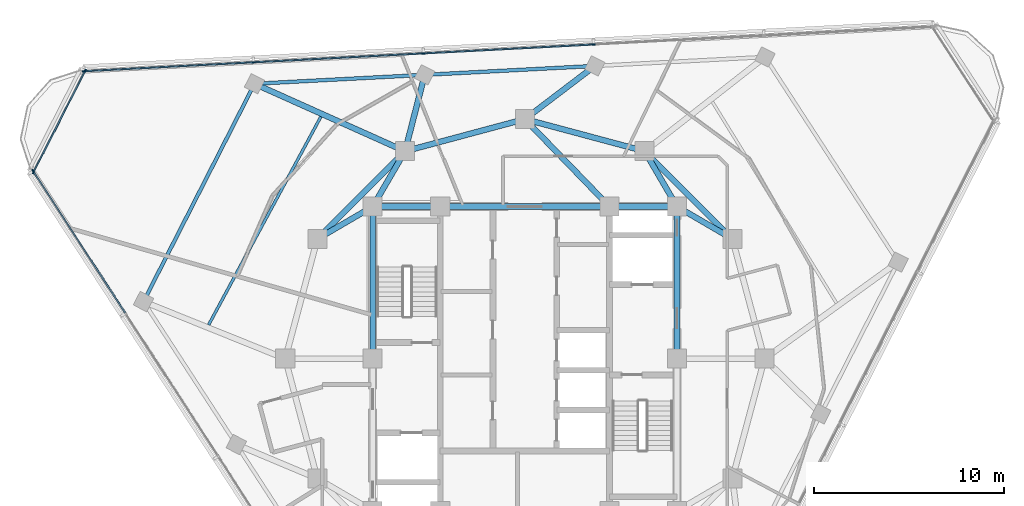
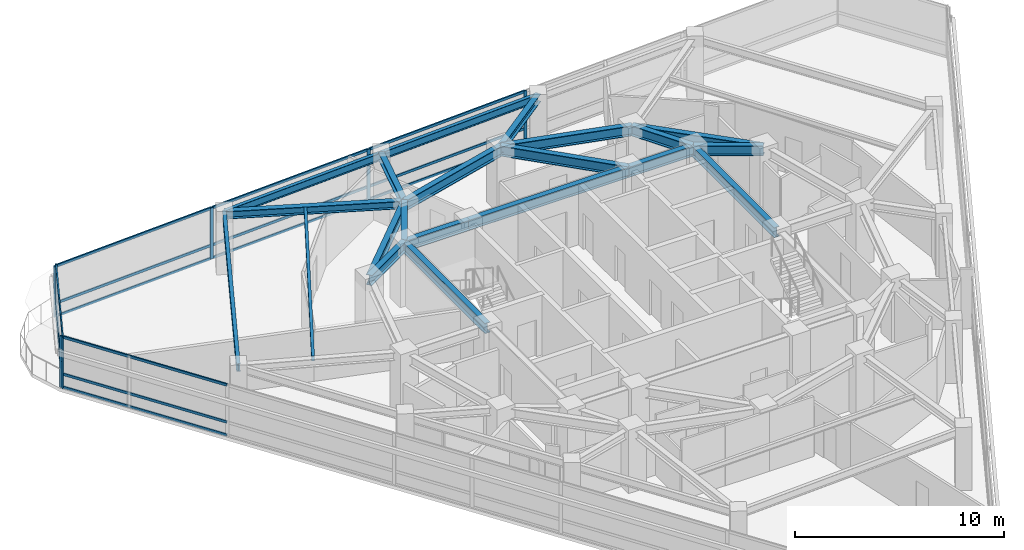
# One storey, part 5 of 15: 22 members, 21 beams, 3 elements without a shape of their own.
"""IFC4 building model written with IfcOpenShell, lengths in metres."""

from ifc_helpers import new_model, si_unit, direction, frame, origin, origin_2d, place, context, subcontext, project, spatial, rectangle, i_section, extrude, material, layer, layer_set, material_profile, profile_set, type_object, element, aggregate, save


model = new_model("IFC4")

# Units and contexts
model_context = context("Model", 3, precision=1e-05, world=origin(), true_north=direction((0.0, 1.0)))
body_context = subcontext(model_context, "Body", "Model", "MODEL_VIEW")
ifc_project = project(units=[si_unit("LENGTHUNIT", "METRE"), si_unit("AREAUNIT", "SQUARE_METRE"), si_unit("VOLUMEUNIT", "CUBIC_METRE"), si_unit("PLANEANGLEUNIT", "RADIAN"), si_unit("MASSUNIT", "GRAM", prefix="KILO")], contexts=[model_context])

# Site, building, storey
site_placement = place(None, origin())
site = spatial("IfcSite", under=ifc_project, at=site_placement, CompositionType="ELEMENT")
building_placement = place(site_placement, origin())
building = spatial("IfcBuilding", under=site, at=building_placement, Name="Terralouvre Media Tower", CompositionType="ELEMENT")
storey_placement = place(building_placement, frame((0.0, 0.0, 259.60009765625)))
storey = spatial("IfcBuildingStorey", under=building, at=storey_placement, Name="L67", CompositionType="ELEMENT", Elevation=259.60009765625)

# Beam
ifc_material_1 = material(Name="Structural steel S355J2", Category="steel")
ifc_material_profile_1 = material_profile(ifc_material_1, i_section(OverallWidth=0.14990234375, OverallDepth=0.300048828125, WebThickness=0.007080078125, FlangeThickness=0.0107421875, at=origin_2d()), Name="IPE 300")
ifc_profile_set_1 = profile_set([ifc_material_profile_1], Name="Structural steel S355J2")
beam_type_1 = type_object("IfcBeamType", Name="Composite Floor Joist J-IPE300 (IPE 300)", PredefinedType="JOIST", material=ifc_profile_set_1)
beam_1_placement = place(storey_placement, frame((-10.72509765625, 12.73046875, 3.349853515625), z_axis=(-0.47463118451, -0.880184775312, 0.0), x_axis=(0.880184775312, -0.47463118451, 0.0)))
element("IfcBeam", 1, at=beam_1_placement, inside=storey, type_object=beam_type_1, Name="L67 Framing Beam JT-L67-05", PredefinedType="JOIST", context=body_context, shape_type="SweptSolid", body=[
    extrude(i_section(OverallWidth=0.14990234375, OverallDepth=0.300048828125, WebThickness=0.007080078125, FlangeThickness=0.0107421875, at=origin_2d()), origin(), (0.0, 0.0, 1.0), 12.437255859375),
])

# Curtain wall, members
ifc_material_2 = material(Name="Low-iron laminated double glazing with solar-control coating", Category="glass")
ifc_layer_1 = layer(ifc_material_2, 0.1650390625, Name="Upper Executive Tower Curtain Wall CW-05")
ifc_layer_set_1 = layer_set([ifc_layer_1], Name="Low-iron laminated double glazing with solar-control coating")
curtain_wall_type_1 = type_object("IfcCurtainWallType", Name="Upper Executive Tower Curtain Wall CW-05", PredefinedType="NOTDEFINED", material=ifc_layer_set_1)
curtain_wall_1_placement = place(storey_placement, origin())
curtain_wall_1 = element("IfcCurtainWall", 2, at=curtain_wall_1_placement, inside=storey, type_object=curtain_wall_type_1, Name="L67 Facade Curtain Wall F1", PredefinedType="NOTDEFINED")
ifc_material_3 = material(Name="Anodised extruded aluminium 6063-T6", Category="aluminium")
ifc_material_profile_2 = material_profile(ifc_material_3, rectangle(XDim=0.074951171875, YDim=0.14990234375, at=origin_2d()), Name="ALU 75x150")
ifc_profile_set_2 = profile_set([ifc_material_profile_2], Name="Anodised extruded aluminium 6063-T6")
member_type_1 = type_object("IfcMemberType", Name="Curtain-Wall Horizontal Transom TR-150", PredefinedType="USERDEFINED", material=ifc_profile_set_2)
member_1_placement = place(storey_placement, frame((3.582763671875, 16.522705078125, 0.037353515625), z_axis=(-0.998630476572, -0.052317982208, 0.0), x_axis=(0.052317982208, -0.998630476572, 0.0)))
member_1 = element("IfcMember", 3, at=member_1_placement, type_object=member_type_1, Name="CW-05 transom 3.1", ObjectType="TRANSOM", PredefinedType="USERDEFINED", context=body_context, shape_type="SweptSolid", body=[
    extrude(rectangle(XDim=0.074951171875, YDim=0.14990234375, at=origin_2d()), origin(), (0.0, 0.0, 1.0), 8.885009765625),
])
member_2_placement = place(storey_placement, frame((3.582763671875, 16.522705078125, 0.7998046875), z_axis=(-0.998630476572, -0.052317982208, 0.0), x_axis=(0.052317982208, -0.998630476572, 0.0)))
member_2 = element("IfcMember", 4, at=member_2_placement, type_object=member_type_1, Name="CW-05 transom 3.2", ObjectType="TRANSOM", PredefinedType="USERDEFINED", context=body_context, shape_type="SweptSolid", body=[
    extrude(rectangle(XDim=0.074951171875, YDim=0.14990234375, at=origin_2d()), origin(), (0.0, 0.0, 1.0), 8.885009765625),
])
member_3_placement = place(storey_placement, frame((3.582763671875, 16.522705078125, 2.96240234375), z_axis=(-0.998630476572, -0.052317982208, 0.0), x_axis=(0.052317982208, -0.998630476572, 0.0)))
member_3 = element("IfcMember", 5, at=member_3_placement, type_object=member_type_1, Name="CW-05 transom 3.3", ObjectType="TRANSOM", PredefinedType="USERDEFINED", context=body_context, shape_type="SweptSolid", body=[
    extrude(rectangle(XDim=0.074951171875, YDim=0.14990234375, at=origin_2d()), origin(), (0.0, 0.0, 1.0), 8.885009765625),
])
member_4_placement = place(storey_placement, frame((-5.364990234375, 16.053955078125, 0.037353515625), z_axis=(-0.998629040577, -0.052345384869, 0.0), x_axis=(0.052345384869, -0.998629040577, 0.0)))
member_4 = element("IfcMember", 6, at=member_4_placement, type_object=member_type_1, Name="CW-05 transom 4.1", ObjectType="TRANSOM", PredefinedType="USERDEFINED", context=body_context, shape_type="SweptSolid", body=[
    extrude(rectangle(XDim=0.074951171875, YDim=0.14990234375, at=origin_2d()), origin(), (0.0, 0.0, 1.0), 8.885009765625),
])
member_5_placement = place(storey_placement, frame((-5.364990234375, 16.053955078125, 0.7998046875), z_axis=(-0.998629040577, -0.052345384869, 0.0), x_axis=(0.052345384869, -0.998629040577, 0.0)))
member_5 = element("IfcMember", 7, at=member_5_placement, type_object=member_type_1, Name="CW-05 transom 4.2", ObjectType="TRANSOM", PredefinedType="USERDEFINED", context=body_context, shape_type="SweptSolid", body=[
    extrude(rectangle(XDim=0.074951171875, YDim=0.14990234375, at=origin_2d()), origin(), (0.0, 0.0, 1.0), 8.885009765625),
])
member_6_placement = place(storey_placement, frame((-5.364990234375, 16.053955078125, 2.96240234375), z_axis=(-0.998629040577, -0.052345384869, 0.0), x_axis=(0.052345384869, -0.998629040577, 0.0)))
member_6 = element("IfcMember", 8, at=member_6_placement, type_object=member_type_1, Name="CW-05 transom 4.3", ObjectType="TRANSOM", PredefinedType="USERDEFINED", context=body_context, shape_type="SweptSolid", body=[
    extrude(rectangle(XDim=0.074951171875, YDim=0.14990234375, at=origin_2d()), origin(), (0.0, 0.0, 1.0), 8.885009765625),
])
member_7_placement = place(storey_placement, frame((-14.312744140625, 15.5849609375, 0.037353515625), z_axis=(-0.99862901196, -0.052345930801, 0.0), x_axis=(0.052345930801, -0.99862901196, 0.0)))
member_7 = element("IfcMember", 9, at=member_7_placement, type_object=member_type_1, Name="CW-05 transom 5.1", ObjectType="TRANSOM", PredefinedType="USERDEFINED", context=body_context, shape_type="SweptSolid", body=[
    extrude(rectangle(XDim=0.074951171875, YDim=0.14990234375, at=origin_2d()), origin(), (0.0, 0.0, 1.0), 8.84765625),
])
member_8_placement = place(storey_placement, frame((-14.312744140625, 15.5849609375, 0.7998046875), z_axis=(-0.99862901196, -0.052345930801, 0.0), x_axis=(0.052345930801, -0.99862901196, 0.0)))
member_8 = element("IfcMember", 10, at=member_8_placement, type_object=member_type_1, Name="CW-05 transom 5.2", ObjectType="TRANSOM", PredefinedType="USERDEFINED", context=body_context, shape_type="SweptSolid", body=[
    extrude(rectangle(XDim=0.074951171875, YDim=0.14990234375, at=origin_2d()), origin(), (0.0, 0.0, 1.0), 8.84765625),
])
member_9_placement = place(storey_placement, frame((-14.312744140625, 15.5849609375, 2.96240234375), z_axis=(-0.99862901196, -0.052345930801, 0.0), x_axis=(0.052345930801, -0.99862901196, 0.0)))
member_9 = element("IfcMember", 11, at=member_9_placement, type_object=member_type_1, Name="CW-05 transom 5.3", ObjectType="TRANSOM", PredefinedType="USERDEFINED", context=body_context, shape_type="SweptSolid", body=[
    extrude(rectangle(XDim=0.074951171875, YDim=0.14990234375, at=origin_2d()), origin(), (0.0, 0.0, 1.0), 8.84765625),
])

curtain_wall_2_placement = place(storey_placement, origin())
curtain_wall_2 = element("IfcCurtainWall", 12, at=curtain_wall_2_placement, inside=storey, type_object=curtain_wall_type_1, Name="L67 Facade Curtain Wall F2", PredefinedType="NOTDEFINED")
member_10_placement = place(storey_placement, frame((-25.840087890625, 9.8388671875, 0.037353515625), z_axis=(0.5446498072, -0.838663572308, 0.0), x_axis=(0.838663572308, 0.5446498072, 0.0)))
member_10 = element("IfcMember", 13, at=member_10_placement, type_object=member_type_1, Name="CW-05 transom 1.1", ObjectType="TRANSOM", PredefinedType="USERDEFINED", context=body_context, shape_type="SweptSolid", body=[
    extrude(rectangle(XDim=0.074951171875, YDim=0.14990234375, at=origin_2d()), origin(), (0.0, 0.0, 1.0), 8.84765625),
])
member_11_placement = place(storey_placement, frame((-25.840087890625, 9.8388671875, 0.7998046875), z_axis=(0.5446498072, -0.838663572308, 0.0), x_axis=(0.838663572308, 0.5446498072, 0.0)))
member_11 = element("IfcMember", 14, at=member_11_placement, type_object=member_type_1, Name="CW-05 transom 1.2", ObjectType="TRANSOM", PredefinedType="USERDEFINED", context=body_context, shape_type="SweptSolid", body=[
    extrude(rectangle(XDim=0.074951171875, YDim=0.14990234375, at=origin_2d()), origin(), (0.0, 0.0, 1.0), 8.84765625),
])
member_12_placement = place(storey_placement, frame((-25.840087890625, 9.8388671875, 2.96240234375), z_axis=(0.5446498072, -0.838663572308, 0.0), x_axis=(0.838663572308, 0.5446498072, 0.0)))
member_12 = element("IfcMember", 15, at=member_12_placement, type_object=member_type_1, Name="CW-05 transom 1.3", ObjectType="TRANSOM", PredefinedType="USERDEFINED", context=body_context, shape_type="SweptSolid", body=[
    extrude(rectangle(XDim=0.074951171875, YDim=0.14990234375, at=origin_2d()), origin(), (0.0, 0.0, 1.0), 8.84765625),
])

ifc_material_4 = material(Name="Low-iron laminated double glazing with solar-control coating", Category="glass")
ifc_layer_2 = layer(ifc_material_4, 0.1650390625, Name="Rounded Wind-Corner Curved Glazing CW-04")
ifc_layer_set_2 = layer_set([ifc_layer_2], Name="Low-iron laminated double glazing with solar-control coating")
curtain_wall_type_2 = type_object("IfcCurtainWallType", Name="Rounded Wind-Corner Curved Glazing CW-04", PredefinedType="NOTDEFINED", material=ifc_layer_set_2)
curtain_wall_3_placement = place(storey_placement, origin())
curtain_wall_3 = element("IfcCurtainWall", 16, at=curtain_wall_3_placement, inside=storey, type_object=curtain_wall_type_2, Name="L67 Rounded Wind-Corner Curtain Wall C2", PredefinedType="NOTDEFINED")
member_13_placement = place(storey_placement, frame((-23.138671875, 15.107421875, 0.037353515625), z_axis=(-0.453989495794, -0.891007035724, 0.0), x_axis=(0.891007035724, -0.453989495794, 0.0)))
member_13 = element("IfcMember", 17, at=member_13_placement, type_object=member_type_1, Name="CW-04 transom 1.1", ObjectType="TRANSOM", PredefinedType="USERDEFINED", context=body_context, shape_type="SweptSolid", body=[
    extrude(rectangle(XDim=0.074951171875, YDim=0.14990234375, at=origin_2d()), origin(), (0.0, 0.0, 1.0), 5.912109375),
])
member_14_placement = place(storey_placement, frame((-23.138671875, 15.107421875, 0.7998046875), z_axis=(-0.453989495794, -0.891007035724, 0.0), x_axis=(0.891007035724, -0.453989495794, 0.0)))
member_14 = element("IfcMember", 18, at=member_14_placement, type_object=member_type_1, Name="CW-04 transom 1.2", ObjectType="TRANSOM", PredefinedType="USERDEFINED", context=body_context, shape_type="SweptSolid", body=[
    extrude(rectangle(XDim=0.074951171875, YDim=0.14990234375, at=origin_2d()), origin(), (0.0, 0.0, 1.0), 5.912109375),
])
member_15_placement = place(storey_placement, frame((-23.138671875, 15.107421875, 2.96240234375), z_axis=(-0.453989495794, -0.891007035724, 0.0), x_axis=(0.891007035724, -0.453989495794, 0.0)))
member_15 = element("IfcMember", 19, at=member_15_placement, type_object=member_type_1, Name="CW-04 transom 1.3", ObjectType="TRANSOM", PredefinedType="USERDEFINED", context=body_context, shape_type="SweptSolid", body=[
    extrude(rectangle(XDim=0.074951171875, YDim=0.14990234375, at=origin_2d()), origin(), (0.0, 0.0, 1.0), 5.912109375),
])

# Member
ifc_material_5 = material(Name="Anodised extruded aluminium 6063-T6", Category="aluminium")
ifc_material_profile_3 = material_profile(ifc_material_5, rectangle(XDim=0.074951171875, YDim=0.179931640625, at=origin_2d()), Name="ALU 75x180")
ifc_profile_set_3 = profile_set([ifc_material_profile_3], Name="Anodised extruded aluminium 6063-T6")
member_type_2 = type_object("IfcMemberType", Name="Curtain-Wall Vertical Mullion ML-180", PredefinedType="MULLION", material=ifc_profile_set_3)
member_16_placement = place(storey_placement, frame((3.6201171875, 16.524658203125, 0.0), z_axis=(0.0, 0.0, 1.0), x_axis=(0.052336163844, -0.998629523875, 0.0)))
member_16 = element("IfcMember", 20, at=member_16_placement, type_object=member_type_2, Name="CW-05 mullion 3", PredefinedType="MULLION", context=body_context, shape_type="SweptSolid", body=[
    extrude(rectangle(XDim=0.074951171875, YDim=0.179931640625, at=origin_2d()), origin(), (0.0, 0.0, 1.0), 3.0),
])

member_17_placement = place(storey_placement, frame((-5.32763671875, 16.055908203125, 0.0), z_axis=(0.0, 0.0, 1.0), x_axis=(0.052336163844, -0.998629523875, 0.0)))
member_17 = element("IfcMember", 21, at=member_17_placement, type_object=member_type_2, Name="CW-05 mullion 4", PredefinedType="MULLION", context=body_context, shape_type="SweptSolid", body=[
    extrude(rectangle(XDim=0.074951171875, YDim=0.179931640625, at=origin_2d()), origin(), (0.0, 0.0, 1.0), 3.0),
])

member_18_placement = place(storey_placement, frame((-14.275390625, 15.5869140625, 0.0), z_axis=(0.0, 0.0, 1.0), x_axis=(0.052336163844, -0.998629523875, 0.0)))
member_18 = element("IfcMember", 22, at=member_18_placement, type_object=member_type_2, Name="CW-05 mullion 5", PredefinedType="MULLION", context=body_context, shape_type="SweptSolid", body=[
    extrude(rectangle(XDim=0.074951171875, YDim=0.179931640625, at=origin_2d()), origin(), (0.0, 0.0, 1.0), 3.0),
])

member_19_placement = place(storey_placement, frame((-23.185546875, 15.119873046875, 0.0), z_axis=(0.0, 0.0, 1.0), x_axis=(0.052336163844, -0.998629523875, 0.0)))
member_19 = element("IfcMember", 23, at=member_19_placement, type_object=member_type_2, Name="CW-05 mullion 6", PredefinedType="MULLION", context=body_context, shape_type="SweptSolid", body=[
    extrude(rectangle(XDim=0.074951171875, YDim=0.179931640625, at=origin_2d()), origin(), (0.0, 0.0, 1.0), 3.0),
])

aggregate(curtain_wall_1, [member_16, member_17, member_18, member_19, member_1, member_2, member_3, member_4, member_5, member_6, member_7, member_8, member_9])

member_20_placement = place(storey_placement, frame((-25.8603515625, 9.870361328125, 0.0), z_axis=(0.0, 0.0, 1.0), x_axis=(0.838670545826, 0.544639069077, 0.0)))
member_20 = element("IfcMember", 24, at=member_20_placement, type_object=member_type_2, Name="CW-05 mullion 1", PredefinedType="MULLION", context=body_context, shape_type="SweptSolid", body=[
    extrude(rectangle(XDim=0.074951171875, YDim=0.179931640625, at=origin_2d()), origin(), (0.0, 0.0, 1.0), 3.0),
])

aggregate(curtain_wall_2, [member_20, member_10, member_11, member_12])

member_21_placement = place(storey_placement, frame((-23.12158203125, 15.140869140625, 0.0), z_axis=(0.0, 0.0, 1.0), x_axis=(0.891006600517, -0.453990349937, 0.0)))
member_21 = element("IfcMember", 25, at=member_21_placement, type_object=member_type_2, Name="CW-04 mullion 1", PredefinedType="MULLION", context=body_context, shape_type="SweptSolid", body=[
    extrude(rectangle(XDim=0.074951171875, YDim=0.179931640625, at=origin_2d()), origin(), (0.0, 0.0, 1.0), 3.0),
])

member_22_placement = place(storey_placement, frame((-25.83984375, 9.80615234375, 0.0), z_axis=(0.0, 0.0, 1.0), x_axis=(0.891006600517, -0.453990349937, 0.0)))
member_22 = element("IfcMember", 26, at=member_22_placement, type_object=member_type_2, Name="CW-04 mullion 2", PredefinedType="MULLION", context=body_context, shape_type="SweptSolid", body=[
    extrude(rectangle(XDim=0.074951171875, YDim=0.179931640625, at=origin_2d()), origin(), (0.0, 0.0, 1.0), 3.0),
])

aggregate(curtain_wall_3, [member_21, member_22, member_13, member_14, member_15])

# Beams
ifc_material_6 = material(Name="Structural steel S355J2", Category="steel")
ifc_material_profile_4 = material_profile(ifc_material_6, i_section(OverallWidth=0.18994140625, OverallDepth=0.449951171875, WebThickness=0.009521484375, FlangeThickness=0.0146484375, at=origin_2d()), Name="IPE 450")
ifc_profile_set_4 = profile_set([ifc_material_profile_4], Name="Structural steel S355J2")
beam_type_2 = type_object("IfcBeamType", Name="Perimeter Spandrel Beam SPB-450 (IPE 450)", PredefinedType="SPANDREL", material=ifc_profile_set_4)
for number, where, z_axis, x_axis, name in (
    (27, (3.67919921875, 15.396240234375, 3.27490234375), (-0.998630595649, -0.05231570924, 0.0), (0.05231570924, -0.998630595649, 0.0), "L67 Framing Beam BM-L67-PR09"),
    (28, (-5.2685546875, 14.927490234375, 3.27490234375), (-0.998629171747, -0.052342882372, 0.0), (0.052342882372, -0.998629171747, 0.0), "L67 Framing Beam BM-L67-PR10"),
):
    element("IfcBeam", number, at=place(storey_placement, frame(where, z_axis=z_axis, x_axis=x_axis)), inside=storey, type_object=beam_type_2, Name=name, PredefinedType="SPANDREL", context=body_context, shape_type="SweptSolid", body=[
        extrude(i_section(OverallWidth=0.18994140625, OverallDepth=0.449951171875, WebThickness=0.009521484375, FlangeThickness=0.0146484375, at=origin_2d()), origin(), (0.0, 0.0, 1.0), 8.9599609375),
    ])
beam_2_placement = place(storey_placement, frame((-14.21630859375, 14.45849609375, 3.27490234375), z_axis=(-0.453983525005, -0.891010077958, 0.0), x_axis=(0.891010077958, -0.453983525005, 0.0)))
element("IfcBeam", 29, at=beam_2_placement, inside=storey, type_object=beam_type_2, Name="L67 Framing Beam BM-L67-PR11", PredefinedType="SPANDREL", context=body_context, shape_type="SweptSolid", body=[
    extrude(i_section(OverallWidth=0.18994140625, OverallDepth=0.449951171875, WebThickness=0.009521484375, FlangeThickness=0.0146484375, at=origin_2d()), origin(), (0.0, 0.0, 1.0), 12.857177734375),
])
ifc_material_7 = material(Name="Structural steel S355J2", Category="steel")
ifc_material_profile_5 = material_profile(ifc_material_7, i_section(OverallWidth=0.300048828125, OverallDepth=0.449951171875, WebThickness=0.013916015625, FlangeThickness=0.02587890625, at=origin_2d()), Name="HEB 450")
ifc_profile_set_5 = profile_set([ifc_material_profile_5], Name="Structural steel S355J2")
beam_type_3 = type_object("IfcBeamType", Name="Primary Floor Girder B-HEB450 (HEB 450)", PredefinedType="BEAM", material=ifc_profile_set_5)
beam_3_placement = place(storey_placement, frame((0.0, 12.60009765625, 3.27490234375), z_axis=(0.796167284329, 0.605076569836, 0.0), x_axis=(-0.605076569836, 0.796167284329, 0.0)))
element("IfcBeam", 30, at=beam_3_placement, inside=storey, type_object=beam_type_3, Name="L67 Framing Beam BM-L67-RD09", PredefinedType="BEAM", context=body_context, shape_type="SweptSolid", body=[
    extrude(i_section(OverallWidth=0.300048828125, OverallDepth=0.449951171875, WebThickness=0.013916015625, FlangeThickness=0.02587890625, at=origin_2d()), origin(), (0.0, 0.0, 1.0), 4.62109375),
])
beam_4_placement = place(storey_placement, frame((-6.300048828125, 10.911865234375, 3.27490234375), z_axis=(0.248793268672, 0.968556611388, 0.0), x_axis=(-0.968556611388, 0.248793268672, 0.0)))
element("IfcBeam", 31, at=beam_4_placement, inside=storey, type_object=beam_type_3, Name="L67 Framing Beam BM-L67-RD10", PredefinedType="BEAM", context=body_context, shape_type="SweptSolid", body=[
    extrude(i_section(OverallWidth=0.300048828125, OverallDepth=0.449951171875, WebThickness=0.013916015625, FlangeThickness=0.02587890625, at=origin_2d()), origin(), (0.0, 0.0, 1.0), 4.14599609375),
])
beam_5_placement = place(storey_placement, frame((-6.300048828125, 10.911865234375, 3.27490234375), z_axis=(-0.912596970607, 0.408860329746, 0.0), x_axis=(-0.408860329746, -0.912596970607, 0.0)))
element("IfcBeam", 32, at=beam_5_placement, inside=storey, type_object=beam_type_3, Name="L67 Framing Beam BM-L67-RD11", PredefinedType="BEAM", context=body_context, shape_type="SweptSolid", body=[
    extrude(i_section(OverallWidth=0.300048828125, OverallDepth=0.449951171875, WebThickness=0.013916015625, FlangeThickness=0.02587890625, at=origin_2d()), origin(), (0.0, 0.0, 1.0), 8.67431640625),
])
ifc_material_8 = material(Name="Structural steel S460M", Category="steel")
ifc_material_profile_6 = material_profile(ifc_material_8, i_section(OverallWidth=0.300048828125, OverallDepth=0.60009765625, WebThickness=0.015380859375, FlangeThickness=0.030029296875, at=origin_2d()), Name="HEB 600")
ifc_profile_set_6 = profile_set([ifc_material_profile_6], Name="Structural steel S460M")
beam_type_4 = type_object("IfcBeamType", Name="Primary Floor Girder B-HEB600 (HEB 600)", PredefinedType="BEAM", material=ifc_profile_set_6)
beam_6_placement = place(storey_placement, frame((8.0, 0.0, 3.199951171875), z_axis=(0.0, 1.0, 0.0), x_axis=(-1.0, 0.0, 0.0)))
element("IfcBeam", 33, at=beam_6_placement, inside=storey, type_object=beam_type_4, Name="L67 Framing Beam BM-L67-CPR05", PredefinedType="BEAM", context=body_context, shape_type="SweptSolid", body=[
    extrude(i_section(OverallWidth=0.300048828125, OverallDepth=0.60009765625, WebThickness=0.015380859375, FlangeThickness=0.030029296875, at=origin_2d()), origin(), (0.0, 0.0, 1.0), 8.0),
])
beam_7_placement = place(storey_placement, frame((8.0, 8.0, 3.199951171875), z_axis=(-1.0, 0.0, 0.0), x_axis=(0.0, -1.0, 0.0)))
element("IfcBeam", 34, at=beam_7_placement, inside=storey, type_object=beam_type_4, Name="L67 Framing Beam BM-L67-CPR06", PredefinedType="BEAM", context=body_context, shape_type="SweptSolid", body=[
    extrude(i_section(OverallWidth=0.300048828125, OverallDepth=0.60009765625, WebThickness=0.015380859375, FlangeThickness=0.030029296875, at=origin_2d()), origin(), (0.0, 0.0, 1.0), 3.550048828125),
])
beam_8_placement = place(storey_placement, frame((4.449951171875, 8.0, 3.199951171875), z_axis=(-1.0, 0.0, 0.0), x_axis=(0.0, -1.0, 0.0)))
element("IfcBeam", 35, at=beam_8_placement, inside=storey, type_object=beam_type_4, Name="L67 Framing Beam BM-L67-CPR07", PredefinedType="BEAM", context=body_context, shape_type="SweptSolid", body=[
    extrude(i_section(OverallWidth=0.300048828125, OverallDepth=0.60009765625, WebThickness=0.015380859375, FlangeThickness=0.030029296875, at=origin_2d()), origin(), (0.0, 0.0, 1.0), 8.89990234375),
])
beam_9_placement = place(storey_placement, frame((-4.449951171875, 8.0, 3.199951171875), z_axis=(-1.0, 0.0, 0.0), x_axis=(0.0, -1.0, 0.0)))
element("IfcBeam", 36, at=beam_9_placement, inside=storey, type_object=beam_type_4, Name="L67 Framing Beam BM-L67-CPR08", PredefinedType="BEAM", context=body_context, shape_type="SweptSolid", body=[
    extrude(i_section(OverallWidth=0.300048828125, OverallDepth=0.60009765625, WebThickness=0.015380859375, FlangeThickness=0.030029296875, at=origin_2d()), origin(), (0.0, 0.0, 1.0), 3.550048828125),
])
beam_10_placement = place(storey_placement, frame((-8.0, 8.0, 3.199951171875), z_axis=(0.0, -1.0, 0.0), x_axis=(1.0, 0.0, 0.0)))
element("IfcBeam", 37, at=beam_10_placement, inside=storey, type_object=beam_type_4, Name="L67 Framing Beam BM-L67-CPR09", PredefinedType="BEAM", context=body_context, shape_type="SweptSolid", body=[
    extrude(i_section(OverallWidth=0.300048828125, OverallDepth=0.60009765625, WebThickness=0.015380859375, FlangeThickness=0.030029296875, at=origin_2d()), origin(), (0.0, 0.0, 1.0), 8.0),
])
beam_11_placement = place(storey_placement, frame((10.911865234375, 6.300048828125, 3.199951171875), z_axis=(-0.707106781187, 0.707106781187, 0.0), x_axis=(-0.707106781187, -0.707106781187, 0.0)))
element("IfcBeam", 38, at=beam_11_placement, inside=storey, type_object=beam_type_4, Name="L67 Framing Beam BM-L67-MR07", PredefinedType="BEAM", context=body_context, shape_type="SweptSolid", body=[
    extrude(i_section(OverallWidth=0.300048828125, OverallDepth=0.60009765625, WebThickness=0.015380859375, FlangeThickness=0.030029296875, at=origin_2d()), origin(), (0.0, 0.0, 1.0), 6.52197265625),
])
for number, where, z_axis, x_axis, name in (
    (39, (6.300048828125, 10.911865234375, 3.199951171875), (-0.965920481897, 0.258838989821, 0.0), (-0.258838989821, -0.965920481897, 0.0), "L67 Framing Beam BM-L67-MR08"),
    (40, (0.0, 12.60009765625, 3.199951171875), (-0.965920481897, -0.258838989821, 0.0), (0.258838989821, -0.965920481897, 0.0), "L67 Framing Beam BM-L67-MR09"),
):
    element("IfcBeam", number, at=place(storey_placement, frame(where, z_axis=z_axis, x_axis=x_axis)), inside=storey, type_object=beam_type_4, Name=name, PredefinedType="BEAM", context=body_context, shape_type="SweptSolid", body=[
        extrude(i_section(OverallWidth=0.300048828125, OverallDepth=0.60009765625, WebThickness=0.015380859375, FlangeThickness=0.030029296875, at=origin_2d()), origin(), (0.0, 0.0, 1.0), 6.522216796875),
    ])
beam_12_placement = place(storey_placement, frame((-6.300048828125, 10.911865234375, 3.199951171875), z_axis=(-0.707106781187, -0.707106781187, 0.0), x_axis=(0.707106781187, -0.707106781187, 0.0)))
element("IfcBeam", 41, at=beam_12_placement, inside=storey, type_object=beam_type_4, Name="L67 Framing Beam BM-L67-MR10", PredefinedType="BEAM", context=body_context, shape_type="SweptSolid", body=[
    extrude(i_section(OverallWidth=0.300048828125, OverallDepth=0.60009765625, WebThickness=0.015380859375, FlangeThickness=0.030029296875, at=origin_2d()), origin(), (0.0, 0.0, 1.0), 6.52197265625),
])
for number, where, z_axis, x_axis, name in (
    (42, (8.0, 8.0, 3.199951171875), (0.863602894532, -0.504172629717, 0.0), (0.504172629717, 0.863602894532, 0.0), "L67 Framing Beam BM-L67-CM07"),
    (43, (8.0, 8.0, 3.199951171875), (-0.504172629717, 0.863602894532, 0.0), (-0.863602894532, -0.504172629717, 0.0), "L67 Framing Beam BM-L67-CM08"),
):
    element("IfcBeam", number, at=place(storey_placement, frame(where, z_axis=z_axis, x_axis=x_axis)), inside=storey, type_object=beam_type_4, Name=name, PredefinedType="BEAM", context=body_context, shape_type="SweptSolid", body=[
        extrude(i_section(OverallWidth=0.300048828125, OverallDepth=0.60009765625, WebThickness=0.015380859375, FlangeThickness=0.030029296875, at=origin_2d()), origin(), (0.0, 0.0, 1.0), 3.371826171875),
    ])
beam_13_placement = place(storey_placement, frame((4.449951171875, 8.0, 3.199951171875), z_axis=(-0.695279715726, 0.718739255155, 0.0), x_axis=(-0.718739255155, -0.695279715726, 0.0)))
element("IfcBeam", 44, at=beam_13_placement, inside=storey, type_object=beam_type_4, Name="L67 Framing Beam BM-L67-CM09", PredefinedType="BEAM", context=body_context, shape_type="SweptSolid", body=[
    extrude(i_section(OverallWidth=0.300048828125, OverallDepth=0.60009765625, WebThickness=0.015380859375, FlangeThickness=0.030029296875, at=origin_2d()), origin(), (0.0, 0.0, 1.0), 6.400146484375),
])
for number, where, z_axis, x_axis, name in (
    (45, (-8.0, 8.0, 3.199951171875), (0.504172629717, 0.863602894532, 0.0), (-0.863602894532, 0.504172629717, 0.0), "L67 Framing Beam BM-L67-CM10"),
    (46, (-8.0, 8.0, 3.199951171875), (-0.863602894532, -0.504172629717, 0.0), (0.504172629717, -0.863602894532, 0.0), "L67 Framing Beam BM-L67-CM11"),
):
    element("IfcBeam", number, at=place(storey_placement, frame(where, z_axis=z_axis, x_axis=x_axis)), inside=storey, type_object=beam_type_4, Name=name, PredefinedType="BEAM", context=body_context, shape_type="SweptSolid", body=[
        extrude(i_section(OverallWidth=0.300048828125, OverallDepth=0.60009765625, WebThickness=0.015380859375, FlangeThickness=0.030029296875, at=origin_2d()), origin(), (0.0, 0.0, 1.0), 3.371826171875),
    ])

save(model, "model.ifc")
